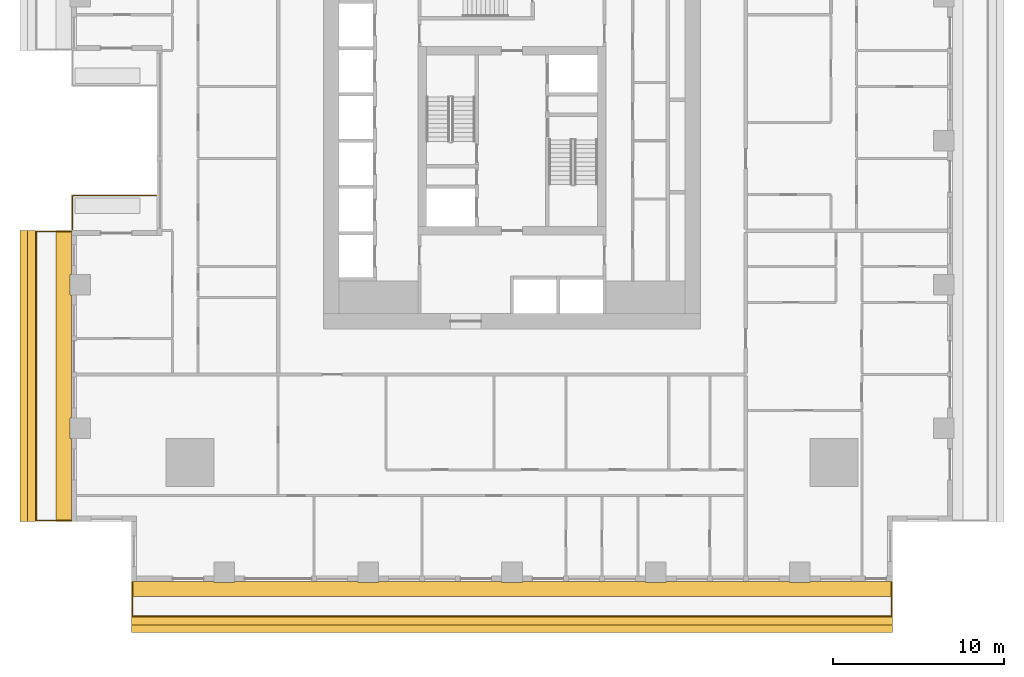
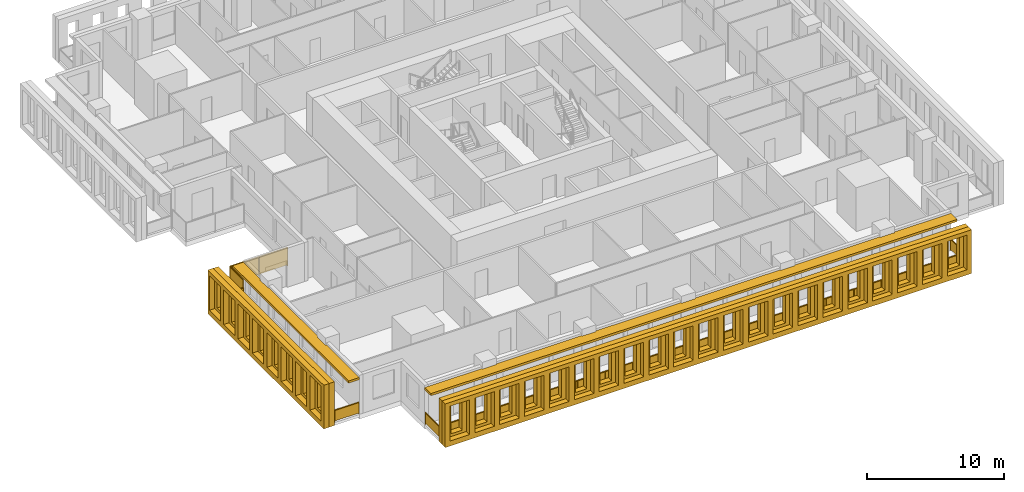
# One storey, part 10 of 14: 6 shading devices, 3 railings.
"""IFC4 building model written with IfcOpenShell, lengths in metres."""

from ifc_helpers import new_model, si_unit, direction, frame, origin, origin_2d, place, context, subcontext, project, spatial, polyline, rectangle, outline, extrude, material, layer, layer_set, type_object, element, save


model = new_model("IFC4")

# Units and contexts
model_context = context("Model", 3, precision=1e-05, world=origin(), true_north=direction((0.0, 1.0)))
body_context = subcontext(model_context, "Body", "Model", "MODEL_VIEW")
ifc_project = project(units=[si_unit("LENGTHUNIT", "METRE"), si_unit("AREAUNIT", "SQUARE_METRE"), si_unit("VOLUMEUNIT", "CUBIC_METRE"), si_unit("PLANEANGLEUNIT", "RADIAN"), si_unit("MASSUNIT", "GRAM", prefix="KILO")], contexts=[model_context])

# Site, building, storey
site_placement = place(None, origin())
site = spatial("IfcSite", under=ifc_project, at=site_placement, CompositionType="ELEMENT")
building_placement = place(site_placement, origin())
building = spatial("IfcBuilding", under=site, at=building_placement, Name="Khepri Terraces", CompositionType="ELEMENT")
storey_placement = place(building_placement, frame((0.0, 0.0, 87.0)))
storey = spatial("IfcBuildingStorey", under=building, at=storey_placement, Name="L20", CompositionType="ELEMENT", Elevation=87.0)

# Railings
ifc_material_1 = material(Name="Stainless steel grade 316", Category="steel")
railing_type_1 = type_object("IfcRailingType", Name="GRD-BAL-1100", PredefinedType="GUARDRAIL", material=ifc_material_1)
railing_1_placement = place(storey_placement, frame((-22.169921875, -25.719970703125, 0.0)))
element("IfcRailing", 1, at=railing_1_placement, inside=storey, type_object=railing_type_1, Name="Balcony guard L20 S", PredefinedType="GUARDRAIL", context=body_context, shape_type="SweptSolid", body=[
    extrude(rectangle(XDim=0.050048828125, YDim=0.06005859375, at=origin_2d()), frame((0.0, 0.0, 1.070068359375), z_axis=(0.0, -1.0, 0.0), x_axis=(1.0, 0.0, 0.0)), (0.0, 0.0, 1.0), 2.050048828125),
    extrude(rectangle(XDim=2.0, YDim=0.011962890625, at=origin_2d()), frame((0.0, -1.02490234375, 0.10009765625), z_axis=(0.0, 0.0, 1.0), x_axis=(0.0, -1.0, 0.0)), (0.0, 0.0, 1.0), 0.93994140625),
    extrude(rectangle(XDim=0.050048828125, YDim=0.06005859375, at=origin_2d()), frame((0.0, -2.050048828125, 1.070068359375), z_axis=(1.0, 0.0, 0.0), x_axis=(0.0, 1.0, 0.0)), (0.0, 0.0, 1.0), 44.33984375),
    extrude(rectangle(XDim=2.28369140625, YDim=0.011962890625, at=origin_2d()), frame((1.166748046875, -2.050048828125, 0.10009765625), z_axis=(0.0, 0.0, 1.0), x_axis=(1.0, 0.0, 0.0)), (0.0, 0.0, 1.0), 0.93994140625),
    extrude(rectangle(XDim=2.28369140625, YDim=0.011962890625, at=origin_2d()), frame((3.50048828125, -2.050048828125, 0.10009765625), z_axis=(0.0, 0.0, 1.0), x_axis=(1.0, 0.0, 0.0)), (0.0, 0.0, 1.0), 0.93994140625),
    extrude(rectangle(XDim=2.28369140625, YDim=0.011962890625, at=origin_2d()), frame((5.834228515625, -2.050048828125, 0.10009765625), z_axis=(0.0, 0.0, 1.0), x_axis=(1.0, 0.0, 0.0)), (0.0, 0.0, 1.0), 0.93994140625),
    extrude(rectangle(XDim=2.28369140625, YDim=0.011962890625, at=origin_2d()), frame((8.16796875, -2.050048828125, 0.10009765625), z_axis=(0.0, 0.0, 1.0), x_axis=(1.0, 0.0, 0.0)), (0.0, 0.0, 1.0), 0.93994140625),
    extrude(rectangle(XDim=2.28369140625, YDim=0.011962890625, at=origin_2d()), frame((10.50146484375, -2.050048828125, 0.10009765625), z_axis=(0.0, 0.0, 1.0), x_axis=(1.0, 0.0, 0.0)), (0.0, 0.0, 1.0), 0.93994140625),
    extrude(rectangle(XDim=2.28369140625, YDim=0.011962890625, at=origin_2d()), frame((12.835205078125, -2.050048828125, 0.10009765625), z_axis=(0.0, 0.0, 1.0), x_axis=(1.0, 0.0, 0.0)), (0.0, 0.0, 1.0), 0.93994140625),
    extrude(rectangle(XDim=2.28369140625, YDim=0.011962890625, at=origin_2d()), frame((15.1689453125, -2.050048828125, 0.10009765625), z_axis=(0.0, 0.0, 1.0), x_axis=(1.0, 0.0, 0.0)), (0.0, 0.0, 1.0), 0.93994140625),
    extrude(rectangle(XDim=2.28369140625, YDim=0.011962890625, at=origin_2d()), frame((17.502685546875, -2.050048828125, 0.10009765625), z_axis=(0.0, 0.0, 1.0), x_axis=(1.0, 0.0, 0.0)), (0.0, 0.0, 1.0), 0.93994140625),
    extrude(rectangle(XDim=2.28369140625, YDim=0.011962890625, at=origin_2d()), frame((19.836181640625, -2.050048828125, 0.10009765625), z_axis=(0.0, 0.0, 1.0), x_axis=(1.0, 0.0, 0.0)), (0.0, 0.0, 1.0), 0.93994140625),
    extrude(rectangle(XDim=2.28369140625, YDim=0.011962890625, at=origin_2d()), frame((22.169921875, -2.050048828125, 0.10009765625), z_axis=(0.0, 0.0, 1.0), x_axis=(1.0, 0.0, 0.0)), (0.0, 0.0, 1.0), 0.93994140625),
    extrude(rectangle(XDim=2.28369140625, YDim=0.011962890625, at=origin_2d()), frame((24.503662109375, -2.050048828125, 0.10009765625), z_axis=(0.0, 0.0, 1.0), x_axis=(1.0, 0.0, 0.0)), (0.0, 0.0, 1.0), 0.93994140625),
    extrude(rectangle(XDim=2.28369140625, YDim=0.011962890625, at=origin_2d()), frame((26.837158203125, -2.050048828125, 0.10009765625), z_axis=(0.0, 0.0, 1.0), x_axis=(1.0, 0.0, 0.0)), (0.0, 0.0, 1.0), 0.93994140625),
    extrude(rectangle(XDim=2.28369140625, YDim=0.011962890625, at=origin_2d()), frame((29.1708984375, -2.050048828125, 0.10009765625), z_axis=(0.0, 0.0, 1.0), x_axis=(1.0, 0.0, 0.0)), (0.0, 0.0, 1.0), 0.93994140625),
    extrude(rectangle(XDim=2.28369140625, YDim=0.011962890625, at=origin_2d()), frame((31.504638671875, -2.050048828125, 0.10009765625), z_axis=(0.0, 0.0, 1.0), x_axis=(1.0, 0.0, 0.0)), (0.0, 0.0, 1.0), 0.93994140625),
    extrude(rectangle(XDim=2.28369140625, YDim=0.011962890625, at=origin_2d()), frame((33.83837890625, -2.050048828125, 0.10009765625), z_axis=(0.0, 0.0, 1.0), x_axis=(1.0, 0.0, 0.0)), (0.0, 0.0, 1.0), 0.93994140625),
    extrude(rectangle(XDim=2.28369140625, YDim=0.011962890625, at=origin_2d()), frame((36.171875, -2.050048828125, 0.10009765625), z_axis=(0.0, 0.0, 1.0), x_axis=(1.0, 0.0, 0.0)), (0.0, 0.0, 1.0), 0.93994140625),
    extrude(rectangle(XDim=2.28369140625, YDim=0.011962890625, at=origin_2d()), frame((38.505615234375, -2.050048828125, 0.10009765625), z_axis=(0.0, 0.0, 1.0), x_axis=(1.0, 0.0, 0.0)), (0.0, 0.0, 1.0), 0.93994140625),
    extrude(rectangle(XDim=2.28369140625, YDim=0.011962890625, at=origin_2d()), frame((40.83935546875, -2.050048828125, 0.10009765625), z_axis=(0.0, 0.0, 1.0), x_axis=(1.0, 0.0, 0.0)), (0.0, 0.0, 1.0), 0.93994140625),
    extrude(rectangle(XDim=2.28369140625, YDim=0.011962890625, at=origin_2d()), frame((43.173095703125, -2.050048828125, 0.10009765625), z_axis=(0.0, 0.0, 1.0), x_axis=(1.0, 0.0, 0.0)), (0.0, 0.0, 1.0), 0.93994140625),
    extrude(rectangle(XDim=0.050048828125, YDim=0.06005859375, at=origin_2d()), frame((44.33984375, -2.050048828125, 1.070068359375), z_axis=(0.0, 1.0, 0.0), x_axis=(-1.0, 0.0, 0.0)), (0.0, 0.0, 1.0), 2.050048828125),
    extrude(rectangle(XDim=2.0, YDim=0.011962890625, at=origin_2d()), frame((44.33984375, -1.02490234375, 0.10009765625), z_axis=(0.0, 0.0, 1.0), x_axis=(0.0, 1.0, 0.0)), (0.0, 0.0, 1.0), 0.93994140625),
    extrude(rectangle(XDim=0.050048828125, YDim=0.050048828125, at=origin_2d()), origin(), (0.0, 0.0, 1.0), 1.0400390625),
    extrude(rectangle(XDim=0.050048828125, YDim=0.050048828125, at=origin_2d()), frame((0.0, -2.050048828125, 0.0)), (0.0, 0.0, 1.0), 1.0400390625),
    extrude(rectangle(XDim=0.050048828125, YDim=0.050048828125, at=origin_2d()), frame((2.333740234375, -2.050048828125, 0.0)), (0.0, 0.0, 1.0), 1.0400390625),
    extrude(rectangle(XDim=0.050048828125, YDim=0.050048828125, at=origin_2d()), frame((4.667236328125, -2.050048828125, 0.0)), (0.0, 0.0, 1.0), 1.0400390625),
    extrude(rectangle(XDim=0.050048828125, YDim=0.050048828125, at=origin_2d()), frame((7.0009765625, -2.050048828125, 0.0)), (0.0, 0.0, 1.0), 1.0400390625),
    extrude(rectangle(XDim=0.050048828125, YDim=0.050048828125, at=origin_2d()), frame((9.334716796875, -2.050048828125, 0.0)), (0.0, 0.0, 1.0), 1.0400390625),
    extrude(rectangle(XDim=0.050048828125, YDim=0.050048828125, at=origin_2d()), frame((11.66845703125, -2.050048828125, 0.0)), (0.0, 0.0, 1.0), 1.0400390625),
    extrude(rectangle(XDim=0.050048828125, YDim=0.050048828125, at=origin_2d()), frame((14.001953125, -2.050048828125, 0.0)), (0.0, 0.0, 1.0), 1.0400390625),
    extrude(rectangle(XDim=0.050048828125, YDim=0.050048828125, at=origin_2d()), frame((16.335693359375, -2.050048828125, 0.0)), (0.0, 0.0, 1.0), 1.0400390625),
    extrude(rectangle(XDim=0.050048828125, YDim=0.050048828125, at=origin_2d()), frame((18.66943359375, -2.050048828125, 0.0)), (0.0, 0.0, 1.0), 1.0400390625),
    extrude(rectangle(XDim=0.050048828125, YDim=0.050048828125, at=origin_2d()), frame((21.003173828125, -2.050048828125, 0.0)), (0.0, 0.0, 1.0), 1.0400390625),
    extrude(rectangle(XDim=0.050048828125, YDim=0.050048828125, at=origin_2d()), frame((23.336669921875, -2.050048828125, 0.0)), (0.0, 0.0, 1.0), 1.0400390625),
    extrude(rectangle(XDim=0.050048828125, YDim=0.050048828125, at=origin_2d()), frame((25.67041015625, -2.050048828125, 0.0)), (0.0, 0.0, 1.0), 1.0400390625),
    extrude(rectangle(XDim=0.050048828125, YDim=0.050048828125, at=origin_2d()), frame((28.004150390625, -2.050048828125, 0.0)), (0.0, 0.0, 1.0), 1.0400390625),
    extrude(rectangle(XDim=0.050048828125, YDim=0.050048828125, at=origin_2d()), frame((30.337890625, -2.050048828125, 0.0)), (0.0, 0.0, 1.0), 1.0400390625),
    extrude(rectangle(XDim=0.050048828125, YDim=0.050048828125, at=origin_2d()), frame((32.67138671875, -2.050048828125, 0.0)), (0.0, 0.0, 1.0), 1.0400390625),
    extrude(rectangle(XDim=0.050048828125, YDim=0.050048828125, at=origin_2d()), frame((35.005126953125, -2.050048828125, 0.0)), (0.0, 0.0, 1.0), 1.0400390625),
    extrude(rectangle(XDim=0.050048828125, YDim=0.050048828125, at=origin_2d()), frame((37.3388671875, -2.050048828125, 0.0)), (0.0, 0.0, 1.0), 1.0400390625),
    extrude(rectangle(XDim=0.050048828125, YDim=0.050048828125, at=origin_2d()), frame((39.672607421875, -2.050048828125, 0.0)), (0.0, 0.0, 1.0), 1.0400390625),
    extrude(rectangle(XDim=0.050048828125, YDim=0.050048828125, at=origin_2d()), frame((42.006103515625, -2.050048828125, 0.0)), (0.0, 0.0, 1.0), 1.0400390625),
    extrude(rectangle(XDim=0.050048828125, YDim=0.050048828125, at=origin_2d()), frame((44.33984375, -2.050048828125, 0.0)), (0.0, 0.0, 1.0), 1.0400390625),
    extrude(rectangle(XDim=0.050048828125, YDim=0.050048828125, at=origin_2d()), frame((44.33984375, 0.0, 0.0)), (0.0, 0.0, 1.0), 1.0400390625),
])
railing_2_placement = place(storey_placement, frame((-25.719970703125, -5.300048828125, 0.0)))
element("IfcRailing", 2, at=railing_2_placement, inside=storey, type_object=railing_type_1, Name="Balcony guard L20 W", PredefinedType="GUARDRAIL", context=body_context, shape_type="SweptSolid", body=[
    extrude(rectangle(XDim=0.050048828125, YDim=0.06005859375, at=origin_2d()), frame((0.0, 0.0, 1.070068359375), z_axis=(-1.0, 0.0, 0.0), x_axis=(0.0, -1.0, 0.0)), (0.0, 0.0, 1.0), 2.050048828125),
    extrude(rectangle(XDim=2.0, YDim=0.011962890625, at=origin_2d()), frame((-1.02490234375, 0.0, 0.10009765625), z_axis=(0.0, 0.0, 1.0), x_axis=(-1.0, 0.0, 0.0)), (0.0, 0.0, 1.0), 0.93994140625),
    extrude(rectangle(XDim=0.050048828125, YDim=0.06005859375, at=origin_2d()), frame((-2.050048828125, 0.0, 1.070068359375), z_axis=(0.0, -1.0, 0.0), x_axis=(1.0, 0.0, 0.0)), (0.0, 0.0, 1.0), 16.869873046875),
    extrude(rectangle(XDim=2.05859375, YDim=0.011962890625, at=origin_2d()), frame((-2.050048828125, -1.054443359375, 0.10009765625), z_axis=(0.0, 0.0, 1.0), x_axis=(0.0, -1.0, 0.0)), (0.0, 0.0, 1.0), 0.93994140625),
    extrude(rectangle(XDim=2.05859375, YDim=0.011962890625, at=origin_2d()), frame((-2.050048828125, -3.1630859375, 0.10009765625), z_axis=(0.0, 0.0, 1.0), x_axis=(0.0, -1.0, 0.0)), (0.0, 0.0, 1.0), 0.93994140625),
    extrude(rectangle(XDim=2.05859375, YDim=0.011962890625, at=origin_2d()), frame((-2.050048828125, -5.271728515625, 0.10009765625), z_axis=(0.0, 0.0, 1.0), x_axis=(0.0, -1.0, 0.0)), (0.0, 0.0, 1.0), 0.93994140625),
    extrude(rectangle(XDim=2.05859375, YDim=0.011962890625, at=origin_2d()), frame((-2.050048828125, -7.380615234375, 0.10009765625), z_axis=(0.0, 0.0, 1.0), x_axis=(0.0, -1.0, 0.0)), (0.0, 0.0, 1.0), 0.93994140625),
    extrude(rectangle(XDim=2.05859375, YDim=0.011962890625, at=origin_2d()), frame((-2.050048828125, -9.4892578125, 0.10009765625), z_axis=(0.0, 0.0, 1.0), x_axis=(0.0, -1.0, 0.0)), (0.0, 0.0, 1.0), 0.93994140625),
    extrude(rectangle(XDim=2.05859375, YDim=0.011962890625, at=origin_2d()), frame((-2.050048828125, -11.59814453125, 0.10009765625), z_axis=(0.0, 0.0, 1.0), x_axis=(0.0, -1.0, 0.0)), (0.0, 0.0, 1.0), 0.93994140625),
    extrude(rectangle(XDim=2.05859375, YDim=0.011962890625, at=origin_2d()), frame((-2.050048828125, -13.706787109375, 0.10009765625), z_axis=(0.0, 0.0, 1.0), x_axis=(0.0, -1.0, 0.0)), (0.0, 0.0, 1.0), 0.93994140625),
    extrude(rectangle(XDim=2.05859375, YDim=0.011962890625, at=origin_2d()), frame((-2.050048828125, -15.8154296875, 0.10009765625), z_axis=(0.0, 0.0, 1.0), x_axis=(0.0, -1.0, 0.0)), (0.0, 0.0, 1.0), 0.93994140625),
    extrude(rectangle(XDim=0.050048828125, YDim=0.06005859375, at=origin_2d()), frame((-2.050048828125, -16.869873046875, 1.070068359375), z_axis=(1.0, 0.0, 0.0), x_axis=(0.0, 1.0, 0.0)), (0.0, 0.0, 1.0), 2.050048828125),
    extrude(rectangle(XDim=2.0, YDim=0.011962890625, at=origin_2d()), frame((-1.02490234375, -16.869873046875, 0.10009765625), z_axis=(0.0, 0.0, 1.0), x_axis=(1.0, 0.0, 0.0)), (0.0, 0.0, 1.0), 0.93994140625),
    extrude(rectangle(XDim=0.050048828125, YDim=0.050048828125, at=origin_2d()), origin(), (0.0, 0.0, 1.0), 1.0400390625),
    extrude(rectangle(XDim=0.050048828125, YDim=0.050048828125, at=origin_2d()), frame((-2.050048828125, 0.0, 0.0)), (0.0, 0.0, 1.0), 1.0400390625),
    extrude(rectangle(XDim=0.050048828125, YDim=0.050048828125, at=origin_2d()), frame((-2.050048828125, -2.108642578125, 0.0)), (0.0, 0.0, 1.0), 1.0400390625),
    extrude(rectangle(XDim=0.050048828125, YDim=0.050048828125, at=origin_2d()), frame((-2.050048828125, -4.217529296875, 0.0)), (0.0, 0.0, 1.0), 1.0400390625),
    extrude(rectangle(XDim=0.050048828125, YDim=0.050048828125, at=origin_2d()), frame((-2.050048828125, -6.326171875, 0.0)), (0.0, 0.0, 1.0), 1.0400390625),
    extrude(rectangle(XDim=0.050048828125, YDim=0.050048828125, at=origin_2d()), frame((-2.050048828125, -8.43505859375, 0.0)), (0.0, 0.0, 1.0), 1.0400390625),
    extrude(rectangle(XDim=0.050048828125, YDim=0.050048828125, at=origin_2d()), frame((-2.050048828125, -10.543701171875, 0.0)), (0.0, 0.0, 1.0), 1.0400390625),
    extrude(rectangle(XDim=0.050048828125, YDim=0.050048828125, at=origin_2d()), frame((-2.050048828125, -12.65234375, 0.0)), (0.0, 0.0, 1.0), 1.0400390625),
    extrude(rectangle(XDim=0.050048828125, YDim=0.050048828125, at=origin_2d()), frame((-2.050048828125, -14.76123046875, 0.0)), (0.0, 0.0, 1.0), 1.0400390625),
    extrude(rectangle(XDim=0.050048828125, YDim=0.050048828125, at=origin_2d()), frame((-2.050048828125, -16.869873046875, 0.0)), (0.0, 0.0, 1.0), 1.0400390625),
    extrude(rectangle(XDim=0.050048828125, YDim=0.050048828125, at=origin_2d()), frame((0.0, -16.869873046875, 0.0)), (0.0, 0.0, 1.0), 1.0400390625),
])
railing_type_2 = type_object("IfcRailingType", Name="GRD-TERR-1700", PredefinedType="GUARDRAIL", material=ifc_material_1)
railing_3_placement = place(storey_placement, frame((-25.669921875, -5.179931640625, 0.0)))
element("IfcRailing", 3, at=railing_3_placement, inside=storey, type_object=railing_type_2, Name="Terrace guard L20", PredefinedType="GUARDRAIL", context=body_context, shape_type="SweptSolid", body=[
    extrude(rectangle(XDim=0.050048828125, YDim=0.06005859375, at=origin_2d()), frame((0.0, 0.0, 1.669921875), z_axis=(0.0, 1.0, 0.0), x_axis=(-1.0, 0.0, 0.0)), (0.0, 0.0, 1.0), 1.97998046875),
    extrude(rectangle(XDim=1.929931640625, YDim=0.011962890625, at=origin_2d()), frame((0.0, 0.989990234375, 0.10009765625), z_axis=(0.0, 0.0, 1.0), x_axis=(0.0, 1.0, 0.0)), (0.0, 0.0, 1.0), 1.539794921875),
    extrude(rectangle(XDim=0.050048828125, YDim=0.06005859375, at=origin_2d()), frame((0.0, 1.97998046875, 1.669921875), z_axis=(1.0, 0.0, 0.0), x_axis=(0.0, 1.0, 0.0)), (0.0, 0.0, 1.0), 4.8798828125),
    extrude(rectangle(XDim=2.389892578125, YDim=0.011962890625, at=origin_2d()), frame((1.219970703125, 1.97998046875, 0.10009765625), z_axis=(0.0, 0.0, 1.0), x_axis=(1.0, 0.0, 0.0)), (0.0, 0.0, 1.0), 1.539794921875),
    extrude(rectangle(XDim=2.389892578125, YDim=0.011962890625, at=origin_2d()), frame((3.659912109375, 1.97998046875, 0.10009765625), z_axis=(0.0, 0.0, 1.0), x_axis=(1.0, 0.0, 0.0)), (0.0, 0.0, 1.0), 1.539794921875),
    extrude(rectangle(XDim=0.050048828125, YDim=0.050048828125, at=origin_2d()), origin(), (0.0, 0.0, 1.0), 1.639892578125),
    extrude(rectangle(XDim=0.050048828125, YDim=0.050048828125, at=origin_2d()), frame((0.0, 1.97998046875, 0.0)), (0.0, 0.0, 1.0), 1.639892578125),
    extrude(rectangle(XDim=0.050048828125, YDim=0.050048828125, at=origin_2d()), frame((2.43994140625, 1.97998046875, 0.0)), (0.0, 0.0, 1.0), 1.639892578125),
    extrude(rectangle(XDim=0.050048828125, YDim=0.050048828125, at=origin_2d()), frame((4.8798828125, 1.97998046875, 0.0)), (0.0, 0.0, 1.0), 1.639892578125),
])

# Shading devices
ifc_material_2 = material(Name="Precast concrete C50/60 warm stone", Category="masonry")
shading_device_type_1 = type_object("IfcShadingDeviceType", Name="SCR-CELL-INNER-450", PredefinedType="USERDEFINED", material=ifc_material_2)
shading_device_1_placement = place(storey_placement, frame((-22.219970703125, -27.820068359375, -0.25), z_axis=(0.0, -1.0, 0.0), x_axis=(1.0, 0.0, 0.0)))
element("IfcShadingDevice", 4, at=shading_device_1_placement, inside=storey, type_object=shading_device_type_1, Name="Cell screen L20 S in", ObjectType="SCREEN", PredefinedType="USERDEFINED", context=body_context, shape_type="SweptSolid", body=[
    extrude(outline(polyline([(0.0, 0.0), (44.43994140625, 0.0), (44.43994140625, 3.89990234375), (0.0, 3.89990234375), (0.0, 0.0)]), holes=[polyline([(0.74755859375, 0.699951171875), (1.6923828125, 0.699951171875), (1.6923828125, 3.300048828125), (0.74755859375, 3.300048828125), (0.74755859375, 0.699951171875)]), polyline([(2.847412109375, 0.699951171875), (3.79248046875, 0.699951171875), (3.79248046875, 3.300048828125), (2.847412109375, 3.300048828125), (2.847412109375, 0.699951171875)]), polyline([(4.947509765625, 0.699951171875), (5.892578125, 0.699951171875), (5.892578125, 3.300048828125), (4.947509765625, 3.300048828125), (4.947509765625, 0.699951171875)]), polyline([(7.047607421875, 0.699951171875), (7.992431640625, 0.699951171875), (7.992431640625, 3.300048828125), (7.047607421875, 3.300048828125), (7.047607421875, 0.699951171875)]), polyline([(9.1474609375, 0.699951171875), (10.092529296875, 0.699951171875), (10.092529296875, 3.300048828125), (9.1474609375, 3.300048828125), (9.1474609375, 0.699951171875)]), polyline([(11.24755859375, 0.699951171875), (12.1923828125, 0.699951171875), (12.1923828125, 3.300048828125), (11.24755859375, 3.300048828125), (11.24755859375, 0.699951171875)]), polyline([(13.347412109375, 0.699951171875), (14.29248046875, 0.699951171875), (14.29248046875, 3.300048828125), (13.347412109375, 3.300048828125), (13.347412109375, 0.699951171875)]), polyline([(15.447509765625, 0.699951171875), (16.392578125, 0.699951171875), (16.392578125, 3.300048828125), (15.447509765625, 3.300048828125), (15.447509765625, 0.699951171875)]), polyline([(17.547607421875, 0.699951171875), (18.492431640625, 0.699951171875), (18.492431640625, 3.300048828125), (17.547607421875, 3.300048828125), (17.547607421875, 0.699951171875)]), polyline([(19.6474609375, 0.699951171875), (20.592529296875, 0.699951171875), (20.592529296875, 3.300048828125), (19.6474609375, 3.300048828125), (19.6474609375, 0.699951171875)]), polyline([(21.74755859375, 0.699951171875), (22.6923828125, 0.699951171875), (22.6923828125, 3.300048828125), (21.74755859375, 3.300048828125), (21.74755859375, 0.699951171875)]), polyline([(23.847412109375, 0.699951171875), (24.79248046875, 0.699951171875), (24.79248046875, 3.300048828125), (23.847412109375, 3.300048828125), (23.847412109375, 0.699951171875)]), polyline([(25.947509765625, 0.699951171875), (26.892578125, 0.699951171875), (26.892578125, 3.300048828125), (25.947509765625, 3.300048828125), (25.947509765625, 0.699951171875)]), polyline([(28.047607421875, 0.699951171875), (28.992431640625, 0.699951171875), (28.992431640625, 3.300048828125), (28.047607421875, 3.300048828125), (28.047607421875, 0.699951171875)]), polyline([(30.1474609375, 0.699951171875), (31.092529296875, 0.699951171875), (31.092529296875, 3.300048828125), (30.1474609375, 3.300048828125), (30.1474609375, 0.699951171875)]), polyline([(32.24755859375, 0.699951171875), (33.1923828125, 0.699951171875), (33.1923828125, 3.300048828125), (32.24755859375, 3.300048828125), (32.24755859375, 0.699951171875)]), polyline([(34.347412109375, 0.699951171875), (35.29248046875, 0.699951171875), (35.29248046875, 3.300048828125), (34.347412109375, 3.300048828125), (34.347412109375, 0.699951171875)]), polyline([(36.447509765625, 0.699951171875), (37.392578125, 0.699951171875), (37.392578125, 3.300048828125), (36.447509765625, 3.300048828125), (36.447509765625, 0.699951171875)]), polyline([(38.547607421875, 0.699951171875), (39.492431640625, 0.699951171875), (39.492431640625, 3.300048828125), (38.547607421875, 3.300048828125), (38.547607421875, 0.699951171875)]), polyline([(40.6474609375, 0.699951171875), (41.592529296875, 0.699951171875), (41.592529296875, 3.300048828125), (40.6474609375, 3.300048828125), (40.6474609375, 0.699951171875)]), polyline([(42.74755859375, 0.699951171875), (43.6923828125, 0.699951171875), (43.6923828125, 3.300048828125), (42.74755859375, 3.300048828125), (42.74755859375, 0.699951171875)])]), origin(), (0.0, 0.0, 1.0), 0.449951171875),
])
shading_device_2_placement = place(storey_placement, frame((-27.820068359375, -5.25, -0.25), z_axis=(-1.0, 0.0, 0.0), x_axis=(0.0, -1.0, 0.0)))
element("IfcShadingDevice", 5, at=shading_device_2_placement, inside=storey, type_object=shading_device_type_1, Name="Cell screen L20 W in", ObjectType="SCREEN", PredefinedType="USERDEFINED", context=body_context, shape_type="SweptSolid", body=[
    extrude(outline(polyline([(0.0, 0.0), (16.969970703125, 0.0), (16.969970703125, 3.89990234375), (0.0, 3.89990234375), (0.0, 0.0)]), holes=[polyline([(0.577392578125, 0.699951171875), (1.5224609375, 0.699951171875), (1.5224609375, 3.300048828125), (0.577392578125, 3.300048828125), (0.577392578125, 0.699951171875)]), polyline([(2.677490234375, 0.699951171875), (3.62255859375, 0.699951171875), (3.62255859375, 3.300048828125), (2.677490234375, 3.300048828125), (2.677490234375, 0.699951171875)]), polyline([(4.777587890625, 0.699951171875), (5.722412109375, 0.699951171875), (5.722412109375, 3.300048828125), (4.777587890625, 3.300048828125), (4.777587890625, 0.699951171875)]), polyline([(6.87744140625, 0.699951171875), (7.822509765625, 0.699951171875), (7.822509765625, 3.300048828125), (6.87744140625, 3.300048828125), (6.87744140625, 0.699951171875)]), polyline([(8.9775390625, 0.699951171875), (9.922607421875, 0.699951171875), (9.922607421875, 3.300048828125), (8.9775390625, 3.300048828125), (8.9775390625, 0.699951171875)]), polyline([(11.077392578125, 0.699951171875), (12.0224609375, 0.699951171875), (12.0224609375, 3.300048828125), (11.077392578125, 3.300048828125), (11.077392578125, 0.699951171875)]), polyline([(13.177490234375, 0.699951171875), (14.12255859375, 0.699951171875), (14.12255859375, 3.300048828125), (13.177490234375, 3.300048828125), (13.177490234375, 0.699951171875)]), polyline([(15.277587890625, 0.699951171875), (16.222412109375, 0.699951171875), (16.222412109375, 3.300048828125), (15.277587890625, 3.300048828125), (15.277587890625, 0.699951171875)])]), origin(), (0.0, 0.0, 1.0), 0.449951171875),
])
shading_device_type_2 = type_object("IfcShadingDeviceType", Name="SCR-CELL-OUTER-450", PredefinedType="USERDEFINED", material=ifc_material_2)
shading_device_3_placement = place(storey_placement, frame((-22.219970703125, -28.27001953125, -0.25), z_axis=(0.0, -1.0, 0.0), x_axis=(1.0, 0.0, 0.0)))
element("IfcShadingDevice", 6, at=shading_device_3_placement, inside=storey, type_object=shading_device_type_2, Name="Cell screen L20 S out", ObjectType="SCREEN", PredefinedType="USERDEFINED", context=body_context, shape_type="SweptSolid", body=[
    extrude(outline(polyline([(0.0, 0.0), (44.43994140625, 0.0), (44.43994140625, 3.89990234375), (0.0, 3.89990234375), (0.0, 0.0)]), holes=[polyline([(0.3974609375, 0.449951171875), (2.04248046875, 0.449951171875), (2.04248046875, 3.550048828125), (0.3974609375, 3.550048828125), (0.3974609375, 0.449951171875)]), polyline([(2.49755859375, 0.449951171875), (4.142578125, 0.449951171875), (4.142578125, 3.550048828125), (2.49755859375, 3.550048828125), (2.49755859375, 0.449951171875)]), polyline([(4.597412109375, 0.449951171875), (6.242431640625, 0.449951171875), (6.242431640625, 3.550048828125), (4.597412109375, 3.550048828125), (4.597412109375, 0.449951171875)]), polyline([(6.697509765625, 0.449951171875), (8.342529296875, 0.449951171875), (8.342529296875, 3.550048828125), (6.697509765625, 3.550048828125), (6.697509765625, 0.449951171875)]), polyline([(8.797607421875, 0.449951171875), (10.4423828125, 0.449951171875), (10.4423828125, 3.550048828125), (8.797607421875, 3.550048828125), (8.797607421875, 0.449951171875)]), polyline([(10.8974609375, 0.449951171875), (12.54248046875, 0.449951171875), (12.54248046875, 3.550048828125), (10.8974609375, 3.550048828125), (10.8974609375, 0.449951171875)]), polyline([(12.99755859375, 0.449951171875), (14.642578125, 0.449951171875), (14.642578125, 3.550048828125), (12.99755859375, 3.550048828125), (12.99755859375, 0.449951171875)]), polyline([(15.097412109375, 0.449951171875), (16.742431640625, 0.449951171875), (16.742431640625, 3.550048828125), (15.097412109375, 3.550048828125), (15.097412109375, 0.449951171875)]), polyline([(17.197509765625, 0.449951171875), (18.842529296875, 0.449951171875), (18.842529296875, 3.550048828125), (17.197509765625, 3.550048828125), (17.197509765625, 0.449951171875)]), polyline([(19.297607421875, 0.449951171875), (20.9423828125, 0.449951171875), (20.9423828125, 3.550048828125), (19.297607421875, 3.550048828125), (19.297607421875, 0.449951171875)]), polyline([(21.3974609375, 0.449951171875), (23.04248046875, 0.449951171875), (23.04248046875, 3.550048828125), (21.3974609375, 3.550048828125), (21.3974609375, 0.449951171875)]), polyline([(23.49755859375, 0.449951171875), (25.142578125, 0.449951171875), (25.142578125, 3.550048828125), (23.49755859375, 3.550048828125), (23.49755859375, 0.449951171875)]), polyline([(25.597412109375, 0.449951171875), (27.242431640625, 0.449951171875), (27.242431640625, 3.550048828125), (25.597412109375, 3.550048828125), (25.597412109375, 0.449951171875)]), polyline([(27.697509765625, 0.449951171875), (29.342529296875, 0.449951171875), (29.342529296875, 3.550048828125), (27.697509765625, 3.550048828125), (27.697509765625, 0.449951171875)]), polyline([(29.797607421875, 0.449951171875), (31.4423828125, 0.449951171875), (31.4423828125, 3.550048828125), (29.797607421875, 3.550048828125), (29.797607421875, 0.449951171875)]), polyline([(31.8974609375, 0.449951171875), (33.54248046875, 0.449951171875), (33.54248046875, 3.550048828125), (31.8974609375, 3.550048828125), (31.8974609375, 0.449951171875)]), polyline([(33.99755859375, 0.449951171875), (35.642578125, 0.449951171875), (35.642578125, 3.550048828125), (33.99755859375, 3.550048828125), (33.99755859375, 0.449951171875)]), polyline([(36.097412109375, 0.449951171875), (37.742431640625, 0.449951171875), (37.742431640625, 3.550048828125), (36.097412109375, 3.550048828125), (36.097412109375, 0.449951171875)]), polyline([(38.197509765625, 0.449951171875), (39.842529296875, 0.449951171875), (39.842529296875, 3.550048828125), (38.197509765625, 3.550048828125), (38.197509765625, 0.449951171875)]), polyline([(40.297607421875, 0.449951171875), (41.9423828125, 0.449951171875), (41.9423828125, 3.550048828125), (40.297607421875, 3.550048828125), (40.297607421875, 0.449951171875)]), polyline([(42.3974609375, 0.449951171875), (44.04248046875, 0.449951171875), (44.04248046875, 3.550048828125), (42.3974609375, 3.550048828125), (42.3974609375, 0.449951171875)])]), origin(), (0.0, 0.0, 1.0), 0.449951171875),
])
shading_device_4_placement = place(storey_placement, frame((-28.27001953125, -5.25, -0.25), z_axis=(-1.0, 0.0, 0.0), x_axis=(0.0, -1.0, 0.0)))
element("IfcShadingDevice", 7, at=shading_device_4_placement, inside=storey, type_object=shading_device_type_2, Name="Cell screen L20 W out", ObjectType="SCREEN", PredefinedType="USERDEFINED", context=body_context, shape_type="SweptSolid", body=[
    extrude(outline(polyline([(0.0, 0.0), (16.969970703125, 0.0), (16.969970703125, 3.89990234375), (0.0, 3.89990234375), (0.0, 0.0)]), holes=[polyline([(0.2275390625, 0.449951171875), (1.87255859375, 0.449951171875), (1.87255859375, 3.550048828125), (0.2275390625, 3.550048828125), (0.2275390625, 0.449951171875)]), polyline([(2.327392578125, 0.449951171875), (3.972412109375, 0.449951171875), (3.972412109375, 3.550048828125), (2.327392578125, 3.550048828125), (2.327392578125, 0.449951171875)]), polyline([(4.427490234375, 0.449951171875), (6.072509765625, 0.449951171875), (6.072509765625, 3.550048828125), (4.427490234375, 3.550048828125), (4.427490234375, 0.449951171875)]), polyline([(6.527587890625, 0.449951171875), (8.172607421875, 0.449951171875), (8.172607421875, 3.550048828125), (6.527587890625, 3.550048828125), (6.527587890625, 0.449951171875)]), polyline([(8.62744140625, 0.449951171875), (10.2724609375, 0.449951171875), (10.2724609375, 3.550048828125), (8.62744140625, 3.550048828125), (8.62744140625, 0.449951171875)]), polyline([(10.7275390625, 0.449951171875), (12.37255859375, 0.449951171875), (12.37255859375, 3.550048828125), (10.7275390625, 3.550048828125), (10.7275390625, 0.449951171875)]), polyline([(12.827392578125, 0.449951171875), (14.472412109375, 0.449951171875), (14.472412109375, 3.550048828125), (12.827392578125, 3.550048828125), (12.827392578125, 0.449951171875)]), polyline([(14.927490234375, 0.449951171875), (16.572509765625, 0.449951171875), (16.572509765625, 3.550048828125), (14.927490234375, 3.550048828125), (14.927490234375, 0.449951171875)])]), origin(), (0.0, 0.0, 1.0), 0.449951171875),
])
ifc_layer = layer(ifc_material_2, 0.199951171875, Name="Precast concrete C50/60 warm stone", Category="masonry")
ifc_layer_set = layer_set([ifc_layer], Name="Precast concrete C50/60 warm stone")
shading_device_type_3 = type_object("IfcShadingDeviceType", Name="SSH-BAND-STONE-200", PredefinedType="USERDEFINED", material=ifc_layer_set)
shading_device_5_placement = place(storey_placement, frame((0.0, 0.0, 3.10009765625)))
element("IfcShadingDevice", 8, at=shading_device_5_placement, inside=storey, type_object=shading_device_type_3, Name="Sunshade band L20 S", ObjectType="SUNSHADE", PredefinedType="USERDEFINED", context=body_context, shape_type="SweptSolid", body=[
    extrude(outline(polyline([(-17.39990234375, -25.719970703125), (-22.219970703125, -25.719970703125), (-22.219970703125, -26.6201171875), (22.219970703125, -26.6201171875), (22.219970703125, -25.719970703125), (17.39990234375, -25.719970703125), (17.39990234375, -25.800048828125), (16.199951171875, -25.800048828125), (16.199951171875, -25.719970703125), (9.0, -25.719970703125), (9.0, -25.800048828125), (7.800048828125, -25.800048828125), (7.800048828125, -25.719970703125), (0.60009765625, -25.719970703125), (0.60009765625, -25.800048828125), (-0.60009765625, -25.800048828125), (-0.60009765625, -25.719970703125), (-7.800048828125, -25.719970703125), (-7.800048828125, -25.800048828125), (-9.0, -25.800048828125), (-9.0, -25.719970703125), (-16.199951171875, -25.719970703125), (-16.199951171875, -25.800048828125), (-17.39990234375, -25.800048828125), (-17.39990234375, -25.719970703125)])), origin(), (0.0, 0.0, 1.0), 0.199951171875),
])
shading_device_6_placement = place(storey_placement, frame((0.0, 0.0, 3.10009765625)))
element("IfcShadingDevice", 9, at=shading_device_6_placement, inside=storey, type_object=shading_device_type_3, Name="Sunshade band L20 W", ObjectType="SUNSHADE", PredefinedType="USERDEFINED", context=body_context, shape_type="SweptSolid", body=[
    extrude(outline(polyline([(-25.719970703125, -7.800048828125), (-25.719970703125, -5.25), (-26.6201171875, -5.25), (-26.6201171875, -22.219970703125), (-25.719970703125, -22.219970703125), (-25.719970703125, -17.39990234375), (-25.800048828125, -17.39990234375), (-25.800048828125, -16.199951171875), (-25.719970703125, -16.199951171875), (-25.719970703125, -9.0), (-25.800048828125, -9.0), (-25.800048828125, -7.800048828125), (-25.719970703125, -7.800048828125)])), origin(), (0.0, 0.0, 1.0), 0.199951171875),
])

save(model, "model.ifc")
